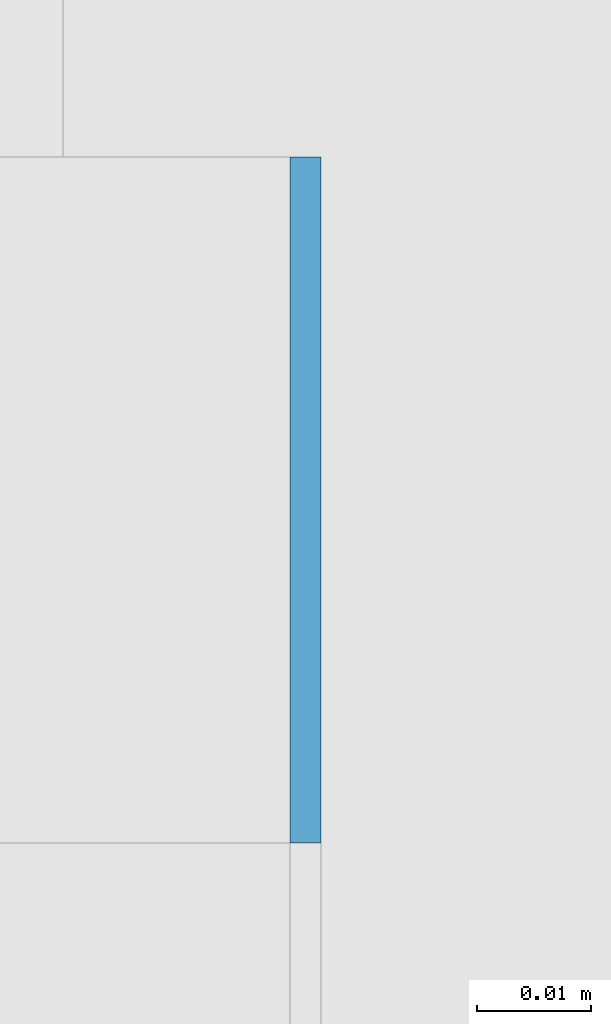
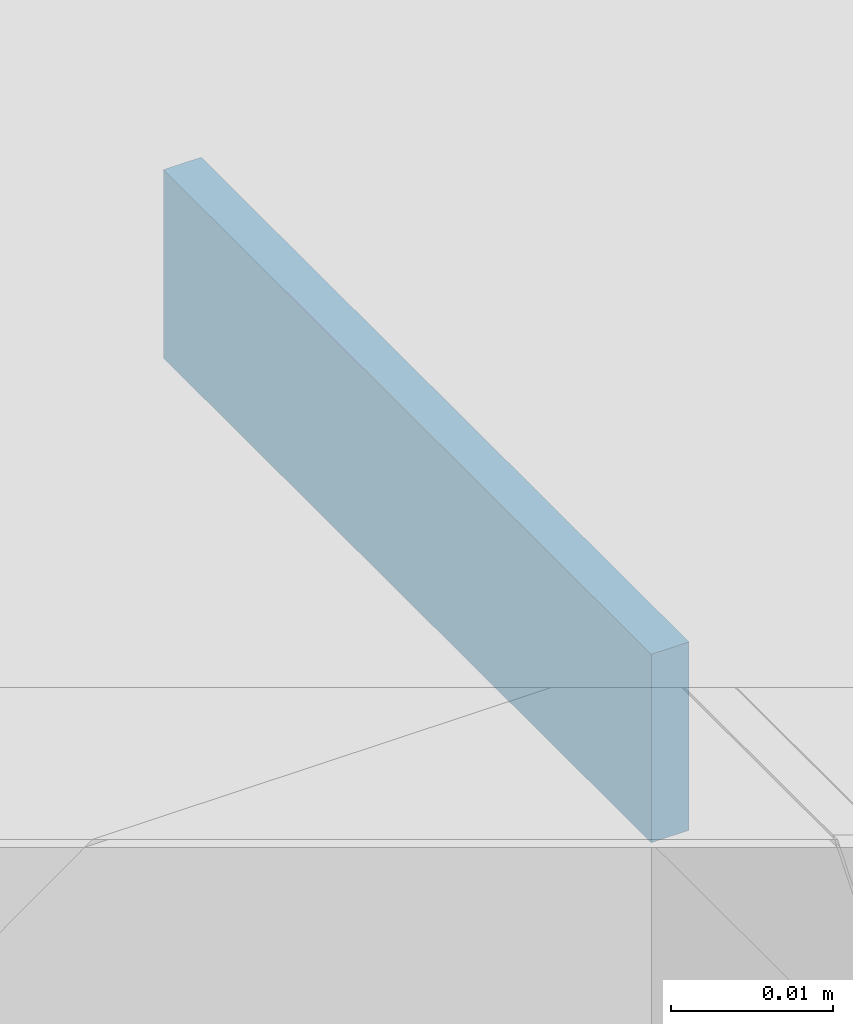
# One storey, part 349 of 646: 1 discrete accessory.
"""IFC4 building model written with IfcOpenShell, lengths in metres."""

from ifc_helpers import new_model, si_unit, direction, frame, origin, origin_2d, place, context, subcontext, project, spatial, rectangle, extrude, material, type_object, element, save


model = new_model("IFC4")

# Units and contexts
model_context = context("Model", 3, precision=1e-05, world=origin(), true_north=direction((0.0, 1.0)))
body_context = subcontext(model_context, "Body", "Model", "MODEL_VIEW")
ifc_project = project(units=[si_unit("LENGTHUNIT", "METRE"), si_unit("AREAUNIT", "SQUARE_METRE"), si_unit("VOLUMEUNIT", "CUBIC_METRE"), si_unit("PLANEANGLEUNIT", "RADIAN"), si_unit("MASSUNIT", "GRAM", prefix="KILO")], contexts=[model_context])

# Site, building, storey
site_placement = place(None, origin())
site = spatial("IfcSite", under=ifc_project, at=site_placement, CompositionType="ELEMENT")
building_placement = place(site_placement, origin())
building = spatial("IfcBuilding", under=site, at=building_placement, Name="Silverbay Arena", CompositionType="ELEMENT")
storey_placement = place(building_placement, frame((0.0, 0.0, 33.5)))
storey = spatial("IfcBuildingStorey", under=building, at=storey_placement, Name="L05", CompositionType="ELEMENT", Elevation=33.5)

# Discrete accessory
ifc_material = material(Name="Steel S355", Category="steel")
discrete_accessory_type = type_object("IfcDiscreteAccessoryType", Name="Steel bracket plate", PredefinedType="BRACKET", material=ifc_material)
discrete_accessory_placement = place(storey_placement, frame((53.871337890625, 90.030029296875, 12.98583984375), z_axis=(0.0, 0.0, 1.0), x_axis=(1.0, 0.0, 0.0)))
element("IfcDiscreteAccessory", 1, at=discrete_accessory_placement, inside=storey, type_object=discrete_accessory_type, Name="Curtain wall packing plate", PredefinedType="BRACKET", context=body_context, shape_type="SweptSolid", body=[
    extrude(rectangle(XDim=0.002685546875, YDim=0.06005859375, at=origin_2d()), origin(), (0.0, 0.0, 1.0), 0.01416015625),
])

save(model, "model.ifc")
